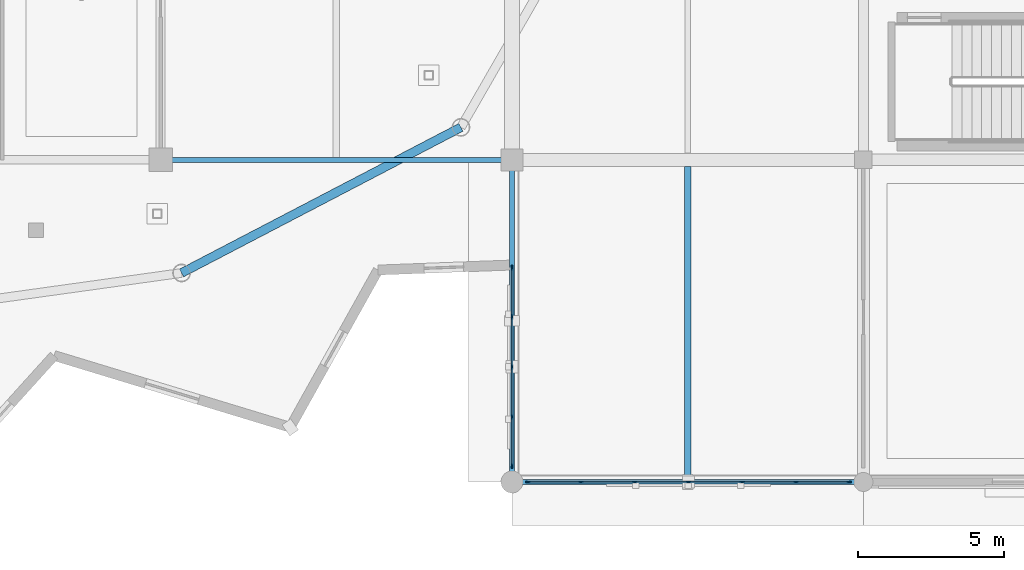
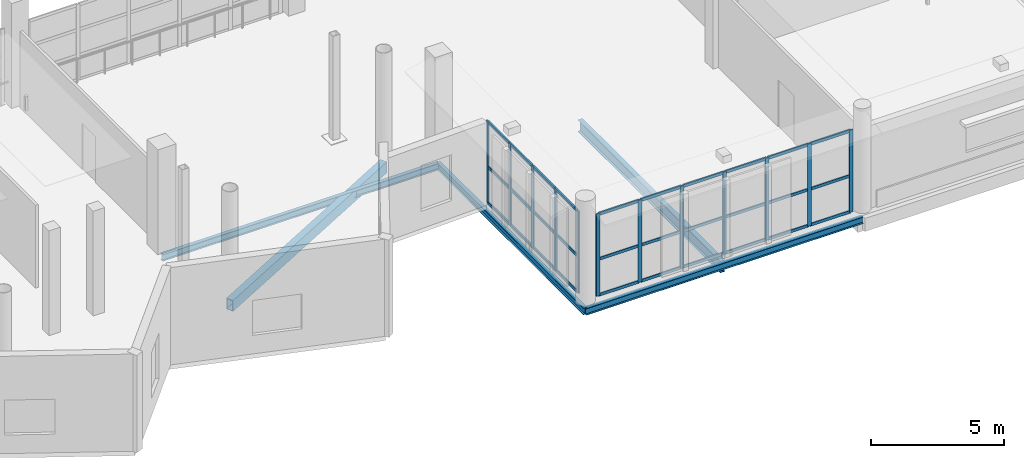
# One storey, part 54 of 143: 42 members, 5 beams, 2 elements without a shape of their own.
"""IFC4 building model written with IfcOpenShell, lengths in metres."""

from ifc_helpers import new_model, si_unit, direction, frame, origin, origin_2d, place, context, subcontext, project, spatial, rectangle, hollow_rectangle, i_section, extrude, material, material_profile, profile_set, type_object, element, aggregate, save


model = new_model("IFC4")

# Units and contexts
model_context = context("Model", 3, precision=1e-05, world=origin(), true_north=direction((0.0, 1.0)))
body_context = subcontext(model_context, "Body", "Model", "MODEL_VIEW")
ifc_project = project(units=[si_unit("LENGTHUNIT", "METRE"), si_unit("AREAUNIT", "SQUARE_METRE"), si_unit("VOLUMEUNIT", "CUBIC_METRE"), si_unit("PLANEANGLEUNIT", "RADIAN"), si_unit("MASSUNIT", "GRAM", prefix="KILO")], contexts=[model_context])

# Site, building, storey
site_placement = place(None, origin())
site = spatial("IfcSite", under=ifc_project, at=site_placement, CompositionType="ELEMENT")
building_placement = place(site_placement, origin())
building = spatial("IfcBuilding", under=site, at=building_placement, Name="Luwafu Chhajja Arena", CompositionType="ELEMENT")
storey_placement = place(building_placement, frame((0.0, 0.0, 5.39990234375)))
storey = spatial("IfcBuildingStorey", under=building, at=storey_placement, Name="L01", CompositionType="ELEMENT", Elevation=5.39990234375)

# Curtain wall, members
ifc_material_1 = material(Name="Anodised bronze aluminium", Category="aluminium")
curtain_wall_type = type_object("IfcCurtainWallType", Name="Community Hall Street Curtain Wall", PredefinedType="USERDEFINED", material=ifc_material_1)
curtain_wall_1_placement = place(storey_placement, origin())
curtain_wall_1 = element("IfcCurtainWall", 1, at=curtain_wall_1_placement, inside=storey, type_object=curtain_wall_type, Name="L01 Curtain Wall CWG-L01-H12_00", ObjectType="CURTAIN WALL", PredefinedType="USERDEFINED")
ifc_material_profile_1 = material_profile(ifc_material_1, rectangle(XDim=0.06005859375, YDim=0.159912109375, at=origin_2d()), Name="CWM 60x160")
ifc_profile_set_1 = profile_set([ifc_material_profile_1], Name="Anodised bronze aluminium")
member_type_1 = type_object("IfcMemberType", Name="Bronze Curtain Wall Mullion 60x160", PredefinedType="MULLION", material=ifc_profile_set_1)
member_1_placement = place(storey_placement, frame((140.544921875, 0.0, 0.030029296875), z_axis=(0.0, 0.0, 1.0), x_axis=(0.0, 1.0, 0.0)))
member_1 = element("IfcMember", 2, at=member_1_placement, type_object=member_type_1, Name="CW-09 mullion 1", PredefinedType="MULLION", context=body_context, shape_type="SweptSolid", body=[
    extrude(rectangle(XDim=0.06005859375, YDim=0.159912109375, at=origin_2d()), origin(), (0.0, 0.0, 1.0), 3.760009765625),
])
member_2_placement = place(storey_placement, frame((142.3515625, 0.0, 0.030029296875), z_axis=(0.0, 0.0, 1.0), x_axis=(0.0, 1.0, 0.0)))
member_2 = element("IfcMember", 3, at=member_2_placement, type_object=member_type_1, Name="CW-09 mullion 2", PredefinedType="MULLION", context=body_context, shape_type="SweptSolid", body=[
    extrude(rectangle(XDim=0.06005859375, YDim=0.159912109375, at=origin_2d()), origin(), (0.0, 0.0, 1.0), 3.760009765625),
])
member_3_placement = place(storey_placement, frame((144.188232421875, 0.0, 0.030029296875), z_axis=(0.0, 0.0, 1.0), x_axis=(0.0, 1.0, 0.0)))
member_3 = element("IfcMember", 4, at=member_3_placement, type_object=member_type_1, Name="CW-09 mullion 3", PredefinedType="MULLION", context=body_context, shape_type="SweptSolid", body=[
    extrude(rectangle(XDim=0.06005859375, YDim=0.159912109375, at=origin_2d()), origin(), (0.0, 0.0, 1.0), 3.760009765625),
])
member_4_placement = place(storey_placement, frame((146.02490234375, 0.0, 0.030029296875), z_axis=(0.0, 0.0, 1.0), x_axis=(0.0, 1.0, 0.0)))
member_4 = element("IfcMember", 5, at=member_4_placement, type_object=member_type_1, Name="CW-09 mullion 4", PredefinedType="MULLION", context=body_context, shape_type="SweptSolid", body=[
    extrude(rectangle(XDim=0.06005859375, YDim=0.159912109375, at=origin_2d()), origin(), (0.0, 0.0, 1.0), 3.760009765625),
])
member_5_placement = place(storey_placement, frame((147.861572265625, 0.0, 0.030029296875), z_axis=(0.0, 0.0, 1.0), x_axis=(0.0, 1.0, 0.0)))
member_5 = element("IfcMember", 6, at=member_5_placement, type_object=member_type_1, Name="CW-09 mullion 5", PredefinedType="MULLION", context=body_context, shape_type="SweptSolid", body=[
    extrude(rectangle(XDim=0.06005859375, YDim=0.159912109375, at=origin_2d()), origin(), (0.0, 0.0, 1.0), 3.760009765625),
])
member_6_placement = place(storey_placement, frame((149.6982421875, 0.0, 0.030029296875), z_axis=(0.0, 0.0, 1.0), x_axis=(0.0, 1.0, 0.0)))
member_6 = element("IfcMember", 7, at=member_6_placement, type_object=member_type_1, Name="CW-09 mullion 6", PredefinedType="MULLION", context=body_context, shape_type="SweptSolid", body=[
    extrude(rectangle(XDim=0.06005859375, YDim=0.159912109375, at=origin_2d()), origin(), (0.0, 0.0, 1.0), 3.760009765625),
])
member_7_placement = place(storey_placement, frame((151.5048828125, 0.0, 0.030029296875), z_axis=(0.0, 0.0, 1.0), x_axis=(0.0, 1.0, 0.0)))
member_7 = element("IfcMember", 8, at=member_7_placement, type_object=member_type_1, Name="CW-09 mullion 7", PredefinedType="MULLION", context=body_context, shape_type="SweptSolid", body=[
    extrude(rectangle(XDim=0.06005859375, YDim=0.159912109375, at=origin_2d()), origin(), (0.0, 0.0, 1.0), 3.760009765625),
])

curtain_wall_2_placement = place(storey_placement, origin())
curtain_wall_2 = element("IfcCurtainWall", 9, at=curtain_wall_2_placement, inside=storey, type_object=curtain_wall_type, Name="L01 Curtain Wall CWG-L01-V12_00", ObjectType="CURTAIN WALL", PredefinedType="USERDEFINED")
member_8_placement = place(storey_placement, frame((140.0, 0.544921875, 0.030029296875), z_axis=(0.0, 0.0, 1.0), x_axis=(-1.0, 0.0, 0.0)))
member_8 = element("IfcMember", 10, at=member_8_placement, type_object=member_type_1, Name="CW-09 mullion 1", PredefinedType="MULLION", context=body_context, shape_type="SweptSolid", body=[
    extrude(rectangle(XDim=0.06005859375, YDim=0.159912109375, at=origin_2d()), origin(), (0.0, 0.0, 1.0), 3.760009765625),
])
member_9_placement = place(storey_placement, frame((140.0, 2.223388671875, 0.030029296875), z_axis=(0.0, 0.0, 1.0), x_axis=(-1.0, 0.0, 0.0)))
member_9 = element("IfcMember", 11, at=member_9_placement, type_object=member_type_1, Name="CW-09 mullion 2", PredefinedType="MULLION", context=body_context, shape_type="SweptSolid", body=[
    extrude(rectangle(XDim=0.06005859375, YDim=0.159912109375, at=origin_2d()), origin(), (0.0, 0.0, 1.0), 3.760009765625),
])
member_10_placement = place(storey_placement, frame((140.0, 3.931640625, 0.030029296875), z_axis=(0.0, 0.0, 1.0), x_axis=(-1.0, 0.0, 0.0)))
member_10 = element("IfcMember", 12, at=member_10_placement, type_object=member_type_1, Name="CW-09 mullion 3", PredefinedType="MULLION", context=body_context, shape_type="SweptSolid", body=[
    extrude(rectangle(XDim=0.06005859375, YDim=0.159912109375, at=origin_2d()), origin(), (0.0, 0.0, 1.0), 3.760009765625),
])
member_11_placement = place(storey_placement, frame((140.0, 5.639892578125, 0.030029296875), z_axis=(0.0, 0.0, 1.0), x_axis=(-1.0, 0.0, 0.0)))
member_11 = element("IfcMember", 13, at=member_11_placement, type_object=member_type_1, Name="CW-09 mullion 4", PredefinedType="MULLION", context=body_context, shape_type="SweptSolid", body=[
    extrude(rectangle(XDim=0.06005859375, YDim=0.159912109375, at=origin_2d()), origin(), (0.0, 0.0, 1.0), 3.760009765625),
])
member_12_placement = place(storey_placement, frame((140.0, 7.318359375, 0.030029296875), z_axis=(0.0, 0.0, 1.0), x_axis=(-1.0, 0.0, 0.0)))
member_12 = element("IfcMember", 14, at=member_12_placement, type_object=member_type_1, Name="CW-09 mullion 5", PredefinedType="MULLION", context=body_context, shape_type="SweptSolid", body=[
    extrude(rectangle(XDim=0.06005859375, YDim=0.159912109375, at=origin_2d()), origin(), (0.0, 0.0, 1.0), 3.760009765625),
])

# Member
ifc_material_profile_2 = material_profile(ifc_material_1, rectangle(XDim=0.06005859375, YDim=0.1298828125, at=origin_2d()), Name="CWT 60x130")
ifc_profile_set_2 = profile_set([ifc_material_profile_2], Name="Anodised bronze aluminium")
member_type_2 = type_object("IfcMemberType", Name="Bronze Curtain Wall Transom 60x130", PredefinedType="USERDEFINED", material=ifc_profile_set_2)
member_13_placement = place(storey_placement, frame((140.574951171875, 0.0, 0.06005859375), z_axis=(1.0, 0.0, 0.0), x_axis=(0.0, 1.0, 0.0)))
member_13 = element("IfcMember", 15, at=member_13_placement, type_object=member_type_2, Name="CW-09 transom 1.1", ObjectType="TRANSOM", PredefinedType="USERDEFINED", context=body_context, shape_type="SweptSolid", body=[
    extrude(rectangle(XDim=0.06005859375, YDim=0.1298828125, at=origin_2d()), origin(), (0.0, 0.0, 1.0), 1.746826171875),
])

member_14_placement = place(storey_placement, frame((140.574951171875, 0.0, 1.70556640625), z_axis=(1.0, 0.0, 0.0), x_axis=(0.0, 1.0, 0.0)))
member_14 = element("IfcMember", 16, at=member_14_placement, type_object=member_type_2, Name="CW-09 transom 1.2", ObjectType="TRANSOM", PredefinedType="USERDEFINED", context=body_context, shape_type="SweptSolid", body=[
    extrude(rectangle(XDim=0.06005859375, YDim=0.1298828125, at=origin_2d()), origin(), (0.0, 0.0, 1.0), 1.746826171875),
])

member_15_placement = place(storey_placement, frame((140.574951171875, 0.0, 3.760009765625), z_axis=(1.0, 0.0, 0.0), x_axis=(0.0, 1.0, 0.0)))
member_15 = element("IfcMember", 17, at=member_15_placement, type_object=member_type_2, Name="CW-09 transom 1.3", ObjectType="TRANSOM", PredefinedType="USERDEFINED", context=body_context, shape_type="SweptSolid", body=[
    extrude(rectangle(XDim=0.06005859375, YDim=0.1298828125, at=origin_2d()), origin(), (0.0, 0.0, 1.0), 1.746826171875),
])

member_16_placement = place(storey_placement, frame((142.381591796875, 0.0, 0.06005859375), z_axis=(1.0, 0.0, 0.0), x_axis=(0.0, 1.0, 0.0)))
member_16 = element("IfcMember", 18, at=member_16_placement, type_object=member_type_2, Name="CW-09 transom 2.1", ObjectType="TRANSOM", PredefinedType="USERDEFINED", context=body_context, shape_type="SweptSolid", body=[
    extrude(rectangle(XDim=0.06005859375, YDim=0.1298828125, at=origin_2d()), origin(), (0.0, 0.0, 1.0), 1.77685546875),
])

member_17_placement = place(storey_placement, frame((142.381591796875, 0.0, 1.70556640625), z_axis=(1.0, 0.0, 0.0), x_axis=(0.0, 1.0, 0.0)))
member_17 = element("IfcMember", 19, at=member_17_placement, type_object=member_type_2, Name="CW-09 transom 2.2", ObjectType="TRANSOM", PredefinedType="USERDEFINED", context=body_context, shape_type="SweptSolid", body=[
    extrude(rectangle(XDim=0.06005859375, YDim=0.1298828125, at=origin_2d()), origin(), (0.0, 0.0, 1.0), 1.77685546875),
])

member_18_placement = place(storey_placement, frame((142.381591796875, 0.0, 3.760009765625), z_axis=(1.0, 0.0, 0.0), x_axis=(0.0, 1.0, 0.0)))
member_18 = element("IfcMember", 20, at=member_18_placement, type_object=member_type_2, Name="CW-09 transom 2.3", ObjectType="TRANSOM", PredefinedType="USERDEFINED", context=body_context, shape_type="SweptSolid", body=[
    extrude(rectangle(XDim=0.06005859375, YDim=0.1298828125, at=origin_2d()), origin(), (0.0, 0.0, 1.0), 1.77685546875),
])

member_19_placement = place(storey_placement, frame((144.21826171875, 0.0, 0.06005859375), z_axis=(1.0, 0.0, 0.0), x_axis=(0.0, 1.0, 0.0)))
member_19 = element("IfcMember", 21, at=member_19_placement, type_object=member_type_2, Name="CW-09 transom 3.1", ObjectType="TRANSOM", PredefinedType="USERDEFINED", context=body_context, shape_type="SweptSolid", body=[
    extrude(rectangle(XDim=0.06005859375, YDim=0.1298828125, at=origin_2d()), origin(), (0.0, 0.0, 1.0), 1.77685546875),
])

member_20_placement = place(storey_placement, frame((144.21826171875, 0.0, 1.70556640625), z_axis=(1.0, 0.0, 0.0), x_axis=(0.0, 1.0, 0.0)))
member_20 = element("IfcMember", 22, at=member_20_placement, type_object=member_type_2, Name="CW-09 transom 3.2", ObjectType="TRANSOM", PredefinedType="USERDEFINED", context=body_context, shape_type="SweptSolid", body=[
    extrude(rectangle(XDim=0.06005859375, YDim=0.1298828125, at=origin_2d()), origin(), (0.0, 0.0, 1.0), 1.77685546875),
])

member_21_placement = place(storey_placement, frame((144.21826171875, 0.0, 3.760009765625), z_axis=(1.0, 0.0, 0.0), x_axis=(0.0, 1.0, 0.0)))
member_21 = element("IfcMember", 23, at=member_21_placement, type_object=member_type_2, Name="CW-09 transom 3.3", ObjectType="TRANSOM", PredefinedType="USERDEFINED", context=body_context, shape_type="SweptSolid", body=[
    extrude(rectangle(XDim=0.06005859375, YDim=0.1298828125, at=origin_2d()), origin(), (0.0, 0.0, 1.0), 1.77685546875),
])

member_22_placement = place(storey_placement, frame((146.054931640625, 0.0, 0.06005859375), z_axis=(1.0, 0.0, 0.0), x_axis=(0.0, 1.0, 0.0)))
member_22 = element("IfcMember", 24, at=member_22_placement, type_object=member_type_2, Name="CW-09 transom 4.1", ObjectType="TRANSOM", PredefinedType="USERDEFINED", context=body_context, shape_type="SweptSolid", body=[
    extrude(rectangle(XDim=0.06005859375, YDim=0.1298828125, at=origin_2d()), origin(), (0.0, 0.0, 1.0), 1.77685546875),
])

member_23_placement = place(storey_placement, frame((146.054931640625, 0.0, 1.70556640625), z_axis=(1.0, 0.0, 0.0), x_axis=(0.0, 1.0, 0.0)))
member_23 = element("IfcMember", 25, at=member_23_placement, type_object=member_type_2, Name="CW-09 transom 4.2", ObjectType="TRANSOM", PredefinedType="USERDEFINED", context=body_context, shape_type="SweptSolid", body=[
    extrude(rectangle(XDim=0.06005859375, YDim=0.1298828125, at=origin_2d()), origin(), (0.0, 0.0, 1.0), 1.77685546875),
])

member_24_placement = place(storey_placement, frame((146.054931640625, 0.0, 3.760009765625), z_axis=(1.0, 0.0, 0.0), x_axis=(0.0, 1.0, 0.0)))
member_24 = element("IfcMember", 26, at=member_24_placement, type_object=member_type_2, Name="CW-09 transom 4.3", ObjectType="TRANSOM", PredefinedType="USERDEFINED", context=body_context, shape_type="SweptSolid", body=[
    extrude(rectangle(XDim=0.06005859375, YDim=0.1298828125, at=origin_2d()), origin(), (0.0, 0.0, 1.0), 1.77685546875),
])

member_25_placement = place(storey_placement, frame((147.8916015625, 0.0, 0.06005859375), z_axis=(1.0, 0.0, 0.0), x_axis=(0.0, 1.0, 0.0)))
member_25 = element("IfcMember", 27, at=member_25_placement, type_object=member_type_2, Name="CW-09 transom 5.1", ObjectType="TRANSOM", PredefinedType="USERDEFINED", context=body_context, shape_type="SweptSolid", body=[
    extrude(rectangle(XDim=0.06005859375, YDim=0.1298828125, at=origin_2d()), origin(), (0.0, 0.0, 1.0), 1.776611328125),
])

member_26_placement = place(storey_placement, frame((147.8916015625, 0.0, 1.70556640625), z_axis=(1.0, 0.0, 0.0), x_axis=(0.0, 1.0, 0.0)))
member_26 = element("IfcMember", 28, at=member_26_placement, type_object=member_type_2, Name="CW-09 transom 5.2", ObjectType="TRANSOM", PredefinedType="USERDEFINED", context=body_context, shape_type="SweptSolid", body=[
    extrude(rectangle(XDim=0.06005859375, YDim=0.1298828125, at=origin_2d()), origin(), (0.0, 0.0, 1.0), 1.776611328125),
])

member_27_placement = place(storey_placement, frame((147.8916015625, 0.0, 3.760009765625), z_axis=(1.0, 0.0, 0.0), x_axis=(0.0, 1.0, 0.0)))
member_27 = element("IfcMember", 29, at=member_27_placement, type_object=member_type_2, Name="CW-09 transom 5.3", ObjectType="TRANSOM", PredefinedType="USERDEFINED", context=body_context, shape_type="SweptSolid", body=[
    extrude(rectangle(XDim=0.06005859375, YDim=0.1298828125, at=origin_2d()), origin(), (0.0, 0.0, 1.0), 1.776611328125),
])

member_28_placement = place(storey_placement, frame((149.728271484375, 0.0, 0.06005859375), z_axis=(1.0, 0.0, 0.0), x_axis=(0.0, 1.0, 0.0)))
member_28 = element("IfcMember", 30, at=member_28_placement, type_object=member_type_2, Name="CW-09 transom 6.1", ObjectType="TRANSOM", PredefinedType="USERDEFINED", context=body_context, shape_type="SweptSolid", body=[
    extrude(rectangle(XDim=0.06005859375, YDim=0.1298828125, at=origin_2d()), origin(), (0.0, 0.0, 1.0), 1.746826171875),
])

member_29_placement = place(storey_placement, frame((149.728271484375, 0.0, 1.70556640625), z_axis=(1.0, 0.0, 0.0), x_axis=(0.0, 1.0, 0.0)))
member_29 = element("IfcMember", 31, at=member_29_placement, type_object=member_type_2, Name="CW-09 transom 6.2", ObjectType="TRANSOM", PredefinedType="USERDEFINED", context=body_context, shape_type="SweptSolid", body=[
    extrude(rectangle(XDim=0.06005859375, YDim=0.1298828125, at=origin_2d()), origin(), (0.0, 0.0, 1.0), 1.746826171875),
])

member_30_placement = place(storey_placement, frame((149.728271484375, 0.0, 3.760009765625), z_axis=(1.0, 0.0, 0.0), x_axis=(0.0, 1.0, 0.0)))
member_30 = element("IfcMember", 32, at=member_30_placement, type_object=member_type_2, Name="CW-09 transom 6.3", ObjectType="TRANSOM", PredefinedType="USERDEFINED", context=body_context, shape_type="SweptSolid", body=[
    extrude(rectangle(XDim=0.06005859375, YDim=0.1298828125, at=origin_2d()), origin(), (0.0, 0.0, 1.0), 1.746826171875),
])

aggregate(curtain_wall_1, [member_1, member_2, member_3, member_4, member_5, member_6, member_7, member_13, member_14, member_15, member_16, member_17, member_18, member_19, member_20, member_21, member_22, member_23, member_24, member_25, member_26, member_27, member_28, member_29, member_30])

member_31_placement = place(storey_placement, frame((140.0, 0.574951171875, 0.06005859375), z_axis=(0.0, 1.0, 0.0), x_axis=(-1.0, 0.0, 0.0)))
member_31 = element("IfcMember", 33, at=member_31_placement, type_object=member_type_2, Name="CW-09 transom 1.1", ObjectType="TRANSOM", PredefinedType="USERDEFINED", context=body_context, shape_type="SweptSolid", body=[
    extrude(rectangle(XDim=0.06005859375, YDim=0.1298828125, at=origin_2d()), origin(), (0.0, 0.0, 1.0), 1.618408203125),
])

member_32_placement = place(storey_placement, frame((140.0, 0.574951171875, 1.70556640625), z_axis=(0.0, 1.0, 0.0), x_axis=(-1.0, 0.0, 0.0)))
member_32 = element("IfcMember", 34, at=member_32_placement, type_object=member_type_2, Name="CW-09 transom 1.2", ObjectType="TRANSOM", PredefinedType="USERDEFINED", context=body_context, shape_type="SweptSolid", body=[
    extrude(rectangle(XDim=0.06005859375, YDim=0.1298828125, at=origin_2d()), origin(), (0.0, 0.0, 1.0), 1.618408203125),
])

member_33_placement = place(storey_placement, frame((140.0, 0.574951171875, 3.760009765625), z_axis=(0.0, 1.0, 0.0), x_axis=(-1.0, 0.0, 0.0)))
member_33 = element("IfcMember", 35, at=member_33_placement, type_object=member_type_2, Name="CW-09 transom 1.3", ObjectType="TRANSOM", PredefinedType="USERDEFINED", context=body_context, shape_type="SweptSolid", body=[
    extrude(rectangle(XDim=0.06005859375, YDim=0.1298828125, at=origin_2d()), origin(), (0.0, 0.0, 1.0), 1.618408203125),
])

member_34_placement = place(storey_placement, frame((140.0, 2.25341796875, 0.06005859375), z_axis=(0.0, 1.0, 0.0), x_axis=(-1.0, 0.0, 0.0)))
member_34 = element("IfcMember", 36, at=member_34_placement, type_object=member_type_2, Name="CW-09 transom 2.1", ObjectType="TRANSOM", PredefinedType="USERDEFINED", context=body_context, shape_type="SweptSolid", body=[
    extrude(rectangle(XDim=0.06005859375, YDim=0.1298828125, at=origin_2d()), origin(), (0.0, 0.0, 1.0), 1.648193359375),
])

member_35_placement = place(storey_placement, frame((140.0, 2.25341796875, 1.70556640625), z_axis=(0.0, 1.0, 0.0), x_axis=(-1.0, 0.0, 0.0)))
member_35 = element("IfcMember", 37, at=member_35_placement, type_object=member_type_2, Name="CW-09 transom 2.2", ObjectType="TRANSOM", PredefinedType="USERDEFINED", context=body_context, shape_type="SweptSolid", body=[
    extrude(rectangle(XDim=0.06005859375, YDim=0.1298828125, at=origin_2d()), origin(), (0.0, 0.0, 1.0), 1.648193359375),
])

member_36_placement = place(storey_placement, frame((140.0, 2.25341796875, 3.760009765625), z_axis=(0.0, 1.0, 0.0), x_axis=(-1.0, 0.0, 0.0)))
member_36 = element("IfcMember", 38, at=member_36_placement, type_object=member_type_2, Name="CW-09 transom 2.3", ObjectType="TRANSOM", PredefinedType="USERDEFINED", context=body_context, shape_type="SweptSolid", body=[
    extrude(rectangle(XDim=0.06005859375, YDim=0.1298828125, at=origin_2d()), origin(), (0.0, 0.0, 1.0), 1.648193359375),
])

member_37_placement = place(storey_placement, frame((140.0, 3.961669921875, 0.06005859375), z_axis=(0.0, 1.0, 0.0), x_axis=(-1.0, 0.0, 0.0)))
member_37 = element("IfcMember", 39, at=member_37_placement, type_object=member_type_2, Name="CW-09 transom 3.1", ObjectType="TRANSOM", PredefinedType="USERDEFINED", context=body_context, shape_type="SweptSolid", body=[
    extrude(rectangle(XDim=0.06005859375, YDim=0.1298828125, at=origin_2d()), origin(), (0.0, 0.0, 1.0), 1.648193359375),
])

member_38_placement = place(storey_placement, frame((140.0, 3.961669921875, 1.70556640625), z_axis=(0.0, 1.0, 0.0), x_axis=(-1.0, 0.0, 0.0)))
member_38 = element("IfcMember", 40, at=member_38_placement, type_object=member_type_2, Name="CW-09 transom 3.2", ObjectType="TRANSOM", PredefinedType="USERDEFINED", context=body_context, shape_type="SweptSolid", body=[
    extrude(rectangle(XDim=0.06005859375, YDim=0.1298828125, at=origin_2d()), origin(), (0.0, 0.0, 1.0), 1.648193359375),
])

member_39_placement = place(storey_placement, frame((140.0, 3.961669921875, 3.760009765625), z_axis=(0.0, 1.0, 0.0), x_axis=(-1.0, 0.0, 0.0)))
member_39 = element("IfcMember", 41, at=member_39_placement, type_object=member_type_2, Name="CW-09 transom 3.3", ObjectType="TRANSOM", PredefinedType="USERDEFINED", context=body_context, shape_type="SweptSolid", body=[
    extrude(rectangle(XDim=0.06005859375, YDim=0.1298828125, at=origin_2d()), origin(), (0.0, 0.0, 1.0), 1.648193359375),
])

member_40_placement = place(storey_placement, frame((140.0, 5.669921875, 0.06005859375), z_axis=(0.0, 1.0, 0.0), x_axis=(-1.0, 0.0, 0.0)))
member_40 = element("IfcMember", 42, at=member_40_placement, type_object=member_type_2, Name="CW-09 transom 4.1", ObjectType="TRANSOM", PredefinedType="USERDEFINED", context=body_context, shape_type="SweptSolid", body=[
    extrude(rectangle(XDim=0.06005859375, YDim=0.1298828125, at=origin_2d()), origin(), (0.0, 0.0, 1.0), 1.618408203125),
])

member_41_placement = place(storey_placement, frame((140.0, 5.669921875, 1.70556640625), z_axis=(0.0, 1.0, 0.0), x_axis=(-1.0, 0.0, 0.0)))
member_41 = element("IfcMember", 43, at=member_41_placement, type_object=member_type_2, Name="CW-09 transom 4.2", ObjectType="TRANSOM", PredefinedType="USERDEFINED", context=body_context, shape_type="SweptSolid", body=[
    extrude(rectangle(XDim=0.06005859375, YDim=0.1298828125, at=origin_2d()), origin(), (0.0, 0.0, 1.0), 1.618408203125),
])

member_42_placement = place(storey_placement, frame((140.0, 5.669921875, 3.760009765625), z_axis=(0.0, 1.0, 0.0), x_axis=(-1.0, 0.0, 0.0)))
member_42 = element("IfcMember", 44, at=member_42_placement, type_object=member_type_2, Name="CW-09 transom 4.3", ObjectType="TRANSOM", PredefinedType="USERDEFINED", context=body_context, shape_type="SweptSolid", body=[
    extrude(rectangle(XDim=0.06005859375, YDim=0.1298828125, at=origin_2d()), origin(), (0.0, 0.0, 1.0), 1.618408203125),
])

aggregate(curtain_wall_2, [member_8, member_9, member_10, member_11, member_12, member_31, member_32, member_33, member_34, member_35, member_36, member_37, member_38, member_39, member_40, member_41, member_42])

# Beams
ifc_material_2 = material(Name="Steel S355", Category="steel")
ifc_material_profile_3 = material_profile(ifc_material_2, i_section(OverallWidth=0.165771484375, OverallDepth=0.306640625, WebThickness=0.006591796875, FlangeThickness=0.01171875, at=origin_2d()), Name="UB 305x165x46")
ifc_profile_set_3 = profile_set([ifc_material_profile_3], Name="Steel S355")
beam_type_1 = type_object("IfcBeamType", Name="Concourse Edge Spandrel Beam UB 305x165x46", PredefinedType="SPANDREL", material=ifc_profile_set_3)
for number, where, z_axis, x_axis, name in (
    (45, (128.0, 11.0, -0.483154296875), (1.0, 0.0, 0.0), (0.0, 1.0, 0.0), "L01 Grid Beam 12-13/B"),
    (46, (140.0, 0.0, -0.483154296875), (1.0, 0.0, 0.0), (0.0, 1.0, 0.0), "L01 Grid Beam 13-14/A"),
):
    element("IfcBeam", number, at=place(storey_placement, frame(where, z_axis=z_axis, x_axis=x_axis)), inside=storey, type_object=beam_type_1, Name=name, PredefinedType="SPANDREL", context=body_context, shape_type="SweptSolid", body=[
        extrude(i_section(OverallWidth=0.165771484375, OverallDepth=0.306640625, WebThickness=0.006591796875, FlangeThickness=0.01171875, at=origin_2d()), origin(), (0.0, 0.0, 1.0), 12.0),
    ])
beam_1_placement = place(storey_placement, frame((140.0, 0.0, -0.483154296875), z_axis=(0.0, 1.0, 0.0), x_axis=(-1.0, 0.0, 0.0)))
element("IfcBeam", 47, at=beam_1_placement, inside=storey, type_object=beam_type_1, Name="L01 Grid Beam 13/A-B", PredefinedType="SPANDREL", context=body_context, shape_type="SweptSolid", body=[
    extrude(i_section(OverallWidth=0.165771484375, OverallDepth=0.306640625, WebThickness=0.006591796875, FlangeThickness=0.01171875, at=origin_2d()), origin(), (0.0, 0.0, 1.0), 11.0),
])
ifc_material_profile_4 = material_profile(ifc_material_2, i_section(OverallWidth=0.209228515625, OverallDepth=0.533203125, WebThickness=0.010009765625, FlangeThickness=0.015625, at=origin_2d()), Name="UB 533x210x92")
ifc_profile_set_4 = profile_set([ifc_material_profile_4], Name="Steel S355")
beam_type_2 = type_object("IfcBeamType", Name="Floor Joist UB 533x210x92", PredefinedType="JOIST", material=ifc_profile_set_4)
beam_2_placement = place(storey_placement, frame((146.0, 0.082763671875, -0.596435546875), z_axis=(0.0, 1.0, 0.0), x_axis=(-1.0, 0.0, 0.0)))
element("IfcBeam", 48, at=beam_2_placement, inside=storey, type_object=beam_type_2, Name="L01 Secondary Joist 13-14/A", PredefinedType="JOIST", context=body_context, shape_type="SweptSolid", body=[
    extrude(i_section(OverallWidth=0.209228515625, OverallDepth=0.533203125, WebThickness=0.010009765625, FlangeThickness=0.015625, at=origin_2d()), origin(), (0.0, 0.0, 1.0), 10.692138671875),
])
ifc_material_profile_5 = material_profile(ifc_material_2, hollow_rectangle(XDim=0.300048828125, YDim=0.5, WallThickness=0.02001953125, at=origin_2d()), Name="RHS 500x300x20")
ifc_profile_set_5 = profile_set([ifc_material_profile_5], Name="Steel S355")
beam_type_3 = type_object("IfcBeamType", Name="Pleated Drum Spandrel Beam RHS 500x300", PredefinedType="SPANDREL", material=ifc_profile_set_5)
beam_3_placement = place(storey_placement, frame((128.718017578125, 7.13720703125, -0.579833984375), z_axis=(0.886755170812, 0.462239404463, 0.0), x_axis=(-0.462239404463, 0.886755170812, 0.0)))
element("IfcBeam", 49, at=beam_3_placement, inside=storey, type_object=beam_type_3, Name="L01 Drum Ring Spandrel D28-D29", PredefinedType="SPANDREL", context=body_context, shape_type="SweptSolid", body=[
    extrude(hollow_rectangle(XDim=0.300048828125, YDim=0.5, WallThickness=0.02001953125, at=origin_2d()), origin(), (0.0, 0.0, 1.0), 10.756103515625),
])

save(model, "model.ifc")
